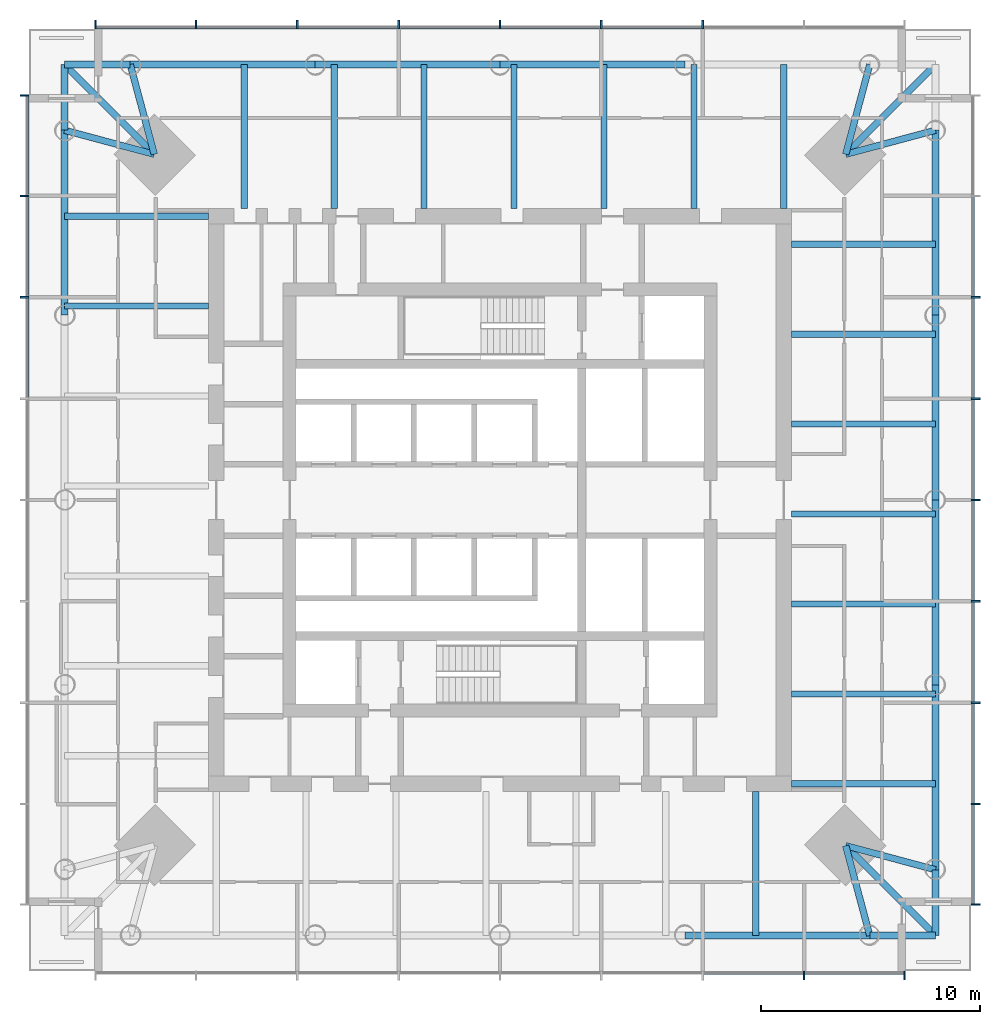
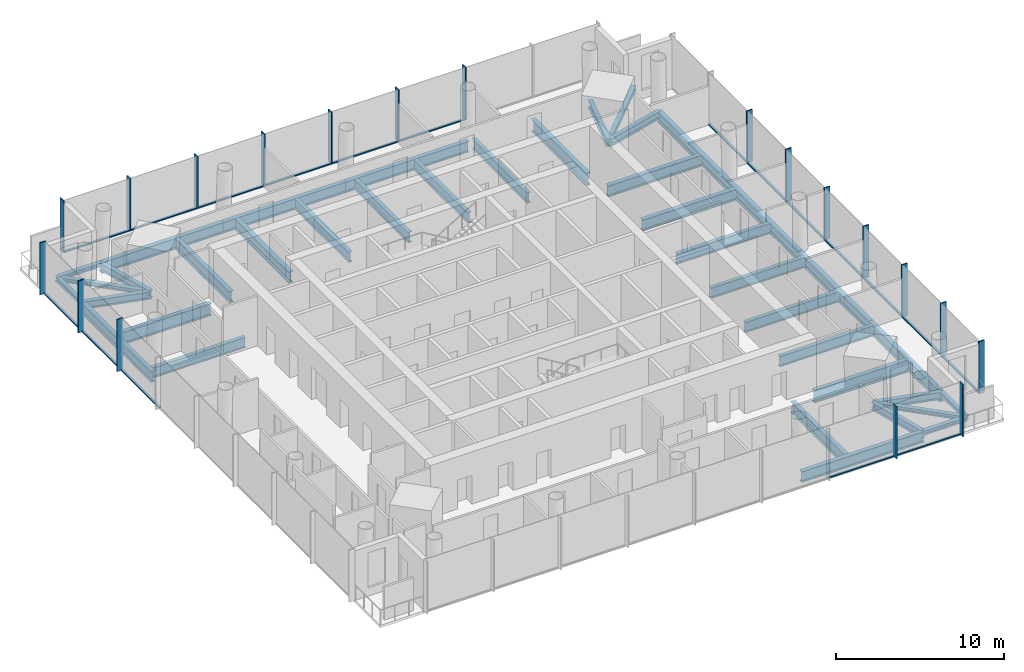
# One storey, part 2 of 9: 39 beams, 37 members, 4 elements without a shape of their own.
"""IFC4 building model written with IfcOpenShell, lengths in metres."""

import ifcopenshell
import ifcopenshell.guid

model = None  # the IFC model being written
_history = None  # IfcOwnerHistory: only IFC2X3 demands one
_inside = {}  # id of a spatial element -> (the spatial element, [elements in it])
_under = {}  # id of a project, library or spatial element -> (it, [spatial elements below it])
_declared = {}  # id of a project -> (the project, [libraries it declares])
_typed = {}  # id of a type object -> (the type object, [elements of that type])
_made_of = {}  # id of a material, layer set ... -> (it, [elements and type objects made of it])


def new_model(schema):
    """Start an empty IFC model of exactly this schema.

    Asked for "IFC4X3", IfcOpenShell would pick the latest addendum, in which some entities
    have other attributes; the version numbers below select the first issue.
    IFC2X3 requires an IfcOwnerHistory on every rooted entity: one is made here for all.
    """
    global model, _history
    if schema == "IFC4X3":
        model = ifcopenshell.file(schema_version=(4, 3, 0, 0))
    else:
        model = ifcopenshell.file(schema=schema)
    _inside.clear()
    _under.clear()
    _declared.clear()
    _typed.clear()
    _made_of.clear()
    _history = None
    if model.schema == "IFC2X3":
        org = make("IfcOrganization", Name="unknown")
        user = make(
            "IfcPersonAndOrganization",
            ThePerson=make("IfcPerson", FamilyName="unknown"),
            TheOrganization=org,
        )
        app = make(
            "IfcApplication",
            ApplicationDeveloper=org,
            Version="unknown",
            ApplicationFullName="unknown",
            ApplicationIdentifier="unknown",
        )
        _history = make(
            "IfcOwnerHistory",
            OwningUser=user,
            OwningApplication=app,
            ChangeAction="ADDED",
            CreationDate=0,
        )
    return model


def make(cls, **values):
    """One entity of the class cls with the attributes given. An attribute that is None is left unset."""
    return model.create_entity(
        cls, **{name: value for name, value in values.items() if value is not None}
    )


def rooted(cls, **values):
    """An entity with a GlobalId (a new one), such as an element, a storey or a relation."""
    return make(cls, GlobalId=ifcopenshell.guid.new(), OwnerHistory=_history, **values)


def si_unit(unit_type, name, prefix=None):
    """IfcSIUnit, for example si_unit("LENGTHUNIT", "METRE", prefix="MILLI")."""
    return make("IfcSIUnit", UnitType=unit_type, Prefix=prefix, Name=name)


def assignment(units):
    """IfcUnitAssignment: the units of a project."""
    return None if units is None else make("IfcUnitAssignment", Units=units)


def point(xyz):
    """IfcCartesianPoint."""
    return None if xyz is None else make("IfcCartesianPoint", Coordinates=xyz)


def direction(xyz):
    """IfcDirection."""
    return None if xyz is None else make("IfcDirection", DirectionRatios=xyz)


def frame(location, z_axis=None, x_axis=None):
    """IfcAxis2Placement3D, a coordinate frame: its origin and axes. An axis left out is left unset."""
    return make(
        "IfcAxis2Placement3D",
        Location=point(location),
        Axis=direction(z_axis),
        RefDirection=direction(x_axis),
    )


def frame_2d(location, x_axis=None):
    """IfcAxis2Placement2D, a coordinate frame in the plane: its origin and x axis."""
    return make(
        "IfcAxis2Placement2D", Location=point(location), RefDirection=direction(x_axis)
    )


def origin():
    """The frame at (0, 0, 0) with its axes left unset."""
    return frame((0.0, 0.0, 0.0))


def origin_2d():
    """The frame at (0, 0) in the plane with its x axis left unset."""
    return frame_2d((0.0, 0.0))


def place(relative_to, where):
    """IfcLocalPlacement: puts the frame where relative to a parent placement (None: the world)."""
    return make(
        "IfcLocalPlacement", PlacementRelTo=relative_to, RelativePlacement=where
    )


def context(
    kind, dimensions, precision=None, world=None, true_north=None, identifier=None
):
    """IfcGeometricRepresentationContext, for example the 3D "Model" context."""
    return make(
        "IfcGeometricRepresentationContext",
        ContextIdentifier=identifier,
        ContextType=kind,
        CoordinateSpaceDimension=dimensions,
        Precision=precision,
        WorldCoordinateSystem=world,
        TrueNorth=true_north,
    )


def subcontext(parent, identifier, kind, view, scale=None):
    """IfcGeometricRepresentationSubContext, for example "Body" below "Model"."""
    return make(
        "IfcGeometricRepresentationSubContext",
        ContextIdentifier=identifier,
        ContextType=kind,
        ParentContext=parent,
        TargetScale=scale,
        TargetView=view,
    )


def project(units=None, contexts=None):
    """IfcProject with its units and contexts."""
    return rooted(
        "IfcProject",
        Name="project",
        RepresentationContexts=contexts,
        UnitsInContext=assignment(units),
    )


def spatial(cls, under=None, at=None, **own):
    """A site, building, storey or space (cls), placed at a placement, below another one or the project."""
    s = rooted(cls, ObjectPlacement=at, **own)
    if under is not None:
        _under.setdefault(under.id(), (under, []))[1].append(s)
    return s


def profile(cls, at=None, kind="AREA", **sizes):
    """A parametric profile (cls). Its sizes go by their IFC names, for example OverallWidth=200.0."""
    return make(cls, ProfileType=kind, Position=at, **sizes)


def rectangle(**sizes):
    """IfcRectangleProfileDef."""
    return profile("IfcRectangleProfileDef", **sizes)


def i_section(**sizes):
    """IfcIShapeProfileDef."""
    return profile("IfcIShapeProfileDef", **sizes)


def extrude(swept, where, along, depth):
    """IfcExtrudedAreaSolid: the profile swept, set in the frame where, extruded along a direction by depth."""
    return make(
        "IfcExtrudedAreaSolid",
        SweptArea=swept,
        Position=where,
        ExtrudedDirection=direction(along),
        Depth=depth,
    )


def shape(context_of_items, identifier, shape_type, items):
    """IfcShapeRepresentation: the items that make up one representation, for example the "Body"."""
    return make(
        "IfcShapeRepresentation",
        ContextOfItems=context_of_items,
        RepresentationIdentifier=identifier,
        RepresentationType=shape_type,
        Items=items,
    )


def material(Name=None, Category=None):
    """IfcMaterial."""
    return make("IfcMaterial", Name=Name, Category=Category)


def material_profile(
    of_material, cross_section, Name=None, Category=None, Priority=None
):
    """IfcMaterialProfile: a cross section and its material."""
    return make(
        "IfcMaterialProfile",
        Name=Name,
        Material=of_material,
        Profile=cross_section,
        Priority=Priority,
        Category=Category,
    )


def profile_set(profiles, Name=None, composite=None):
    """IfcMaterialProfileSet."""
    return make(
        "IfcMaterialProfileSet",
        Name=Name,
        MaterialProfiles=profiles,
        CompositeProfile=composite,
    )


def made_of(thing, what):
    """Note that an element or type object is made of a material, layer set ...; save() writes the relation."""
    if what is not None:
        _made_of.setdefault(what.id(), (what, []))[1].append(thing)
    return thing


def type_object(cls, material=None, **own):
    """A type object (cls), such as IfcWallType, which elements share."""
    return made_of(rooted(cls, **own), material)


def element(
    cls,
    number,
    at=None,
    inside=None,
    cuts=None,
    type_object=None,
    material=None,
    context=None,
    identifier="Body",
    shape_type=None,
    held_by="IfcProductDefinitionShape",
    body=None,
    shapes=None,
    **own,
):
    """One element of the class cls, such as IfcWall. Its Tag is "e" and its number.

    at: its placement. inside: the storey or other place that contains it. cuts: it is an
    opening in that element (IfcRelVoidsElement). A single representation is given by context,
    identifier, shape_type and body (its items); several are given by shapes. held_by: the class
    of the entity that holds the representations. save() writes the other relations.
    """
    e = rooted(cls, Tag="e%d" % number, ObjectPlacement=at, **own)
    if body is not None:
        shapes = [shape(context, identifier, shape_type, body)]
    if shapes is not None:
        e.Representation = make(held_by, Representations=shapes)
    if inside is not None:
        _inside.setdefault(inside.id(), (inside, []))[1].append(e)
    if cuts is not None:
        rooted(
            "IfcRelVoidsElement", RelatingBuildingElement=cuts, RelatedOpeningElement=e
        )
    if type_object is not None:
        _typed.setdefault(type_object.id(), (type_object, []))[1].append(e)
    return made_of(e, material)


def aggregate(whole, parts):
    """IfcRelAggregates: a whole, such as a stair, and the parts it consists of."""
    return rooted("IfcRelAggregates", RelatingObject=whole, RelatedObjects=parts)


def save(model, path):
    """Write the relations noted so far, then the file.

    IfcRelAggregates (storeys below a building ...), IfcRelContainedInSpatialStructure (elements
    in a storey), IfcRelDefinesByType, IfcRelAssociatesMaterial and IfcRelDeclares: one each for
    every whole, place, type object, material and project.
    """
    for whole, parts in _under.values():
        aggregate(whole, parts)
    for where, things in _inside.values():
        rooted(
            "IfcRelContainedInSpatialStructure",
            RelatedElements=things,
            RelatingStructure=where,
        )
    for kind, things in _typed.values():
        rooted("IfcRelDefinesByType", RelatedObjects=things, RelatingType=kind)
    for what, things in _made_of.values():
        rooted("IfcRelAssociatesMaterial", RelatedObjects=things, RelatingMaterial=what)
    for by, libraries in _declared.values():
        rooted("IfcRelDeclares", RelatingContext=by, RelatedDefinitions=libraries)
    model.write(path)


model = new_model("IFC4")

# Units and contexts
model_context = context("Model", 3, precision=1e-05, world=origin(), true_north=direction((0.0, 1.0)))
body_context = subcontext(model_context, "Body", "Model", "MODEL_VIEW")
ifc_project = project(units=[si_unit("LENGTHUNIT", "METRE"), si_unit("AREAUNIT", "SQUARE_METRE"), si_unit("VOLUMEUNIT", "CUBIC_METRE"), si_unit("PLANEANGLEUNIT", "RADIAN"), si_unit("MASSUNIT", "GRAM", prefix="KILO")], contexts=[model_context])

# Site, building, storey
site_placement = place(None, origin())
site = spatial("IfcSite", under=ifc_project, at=site_placement, CompositionType="ELEMENT")
building_placement = place(site_placement, origin())
building = spatial("IfcBuilding", under=site, at=building_placement, Name="Ostroluk Exchange", CompositionType="ELEMENT")
storey_placement = place(building_placement, frame((0.0, 0.0, 150.199951171875)))
storey = spatial("IfcBuildingStorey", under=building, at=storey_placement, Name="L38", CompositionType="ELEMENT", Elevation=150.199951171875)

# Beams
ifc_material_1 = material(Name="Steel S355", Category="steel")
ifc_material_profile_1 = material_profile(ifc_material_1, i_section(OverallWidth=0.300048828125, OverallDepth=0.300048828125, WebThickness=0.010986328125, FlangeThickness=0.01904296875, FilletRadius=0.027099609375, at=origin_2d()), Name="HEB 300")
ifc_profile_set_1 = profile_set([ifc_material_profile_1], Name="Steel S355")
beam_type_1 = type_object("IfcBeamType", Name="Balcony beam HEB 300", PredefinedType="BEAM", material=ifc_profile_set_1)
beam_1_placement = place(storey_placement, frame((60.771484375, 61.771484375, -0.329833984375), z_axis=(0.707106781187, 0.707106781187, 0.0), x_axis=(-0.707106781187, 0.707106781187, 0.0)))
element("IfcBeam", 1, at=beam_1_placement, inside=storey, type_object=beam_type_1, Name="T1 east balcony beam c", PredefinedType="BEAM", context=body_context, shape_type="SweptSolid", body=[
    extrude(i_section(OverallWidth=0.300048828125, OverallDepth=0.300048828125, WebThickness=0.010986328125, FlangeThickness=0.01904296875, FilletRadius=0.027099609375, at=origin_2d()), origin(), (0.0, 0.0, 1.0), 5.798095703125),
])
for number, where, z_axis, x_axis, name in (
    (2, (28.128662109375, 65.871337890625, -0.329833984375), (-1.0, 0.0, 0.0), (0.0, -1.0, 0.0), "T1 north balcony beam a"),
    (3, (25.128662109375, 62.871337890625, -0.329833984375), (0.0, 1.0, 0.0), (-1.0, 0.0, 0.0), "T1 north balcony beam b"),
):
    element("IfcBeam", number, at=place(storey_placement, frame(where, z_axis=z_axis, x_axis=x_axis)), inside=storey, type_object=beam_type_1, Name=name, PredefinedType="BEAM", context=body_context, shape_type="SweptSolid", body=[
        extrude(i_section(OverallWidth=0.300048828125, OverallDepth=0.300048828125, WebThickness=0.010986328125, FlangeThickness=0.01904296875, FilletRadius=0.027099609375, at=origin_2d()), origin(), (0.0, 0.0, 1.0), 3.0),
    ])
beam_2_placement = place(storey_placement, frame((29.228515625, 61.771484375, -0.329833984375), z_axis=(-0.707106781187, 0.707106781187, 0.0), x_axis=(-0.707106781187, -0.707106781187, 0.0)))
element("IfcBeam", 4, at=beam_2_placement, inside=storey, type_object=beam_type_1, Name="T1 north balcony beam c", PredefinedType="BEAM", context=body_context, shape_type="SweptSolid", body=[
    extrude(i_section(OverallWidth=0.300048828125, OverallDepth=0.300048828125, WebThickness=0.010986328125, FlangeThickness=0.01904296875, FilletRadius=0.027099609375, at=origin_2d()), origin(), (0.0, 0.0, 1.0), 5.798095703125),
])
for number, where, z_axis, x_axis, name in (
    (5, (61.871337890625, 26.128662109375, -0.329833984375), (1.0, 0.0, 0.0), (0.0, 1.0, 0.0), "T1 south balcony beam a"),
    (6, (64.871337890625, 29.128662109375, -0.329833984375), (0.0, -1.0, 0.0), (1.0, 0.0, 0.0), "T1 south balcony beam b"),
):
    element("IfcBeam", number, at=place(storey_placement, frame(where, z_axis=z_axis, x_axis=x_axis)), inside=storey, type_object=beam_type_1, Name=name, PredefinedType="BEAM", context=body_context, shape_type="SweptSolid", body=[
        extrude(i_section(OverallWidth=0.300048828125, OverallDepth=0.300048828125, WebThickness=0.010986328125, FlangeThickness=0.01904296875, FilletRadius=0.027099609375, at=origin_2d()), origin(), (0.0, 0.0, 1.0), 3.0),
    ])
beam_3_placement = place(storey_placement, frame((60.771484375, 30.228515625, -0.329833984375), z_axis=(0.707106781187, -0.707106781187, 0.0), x_axis=(0.707106781187, 0.707106781187, 0.0)))
element("IfcBeam", 7, at=beam_3_placement, inside=storey, type_object=beam_type_1, Name="T1 south balcony beam c", PredefinedType="BEAM", context=body_context, shape_type="SweptSolid", body=[
    extrude(i_section(OverallWidth=0.300048828125, OverallDepth=0.300048828125, WebThickness=0.010986328125, FlangeThickness=0.01904296875, FilletRadius=0.027099609375, at=origin_2d()), origin(), (0.0, 0.0, 1.0), 5.798095703125),
])
ifc_material_2 = material(Name="Steel S355", Category="steel")
ifc_material_profile_2 = material_profile(ifc_material_2, i_section(OverallWidth=0.300048828125, OverallDepth=0.550048828125, WebThickness=0.014892578125, FlangeThickness=0.029052734375, FilletRadius=0.027099609375, at=origin_2d()), Name="HEB 550")
ifc_profile_set_2 = profile_set([ifc_material_profile_2], Name="Steel S355")
beam_type_2 = type_object("IfcBeamType", Name="Corner edge beam HEB 550", PredefinedType="SPANDREL", material=ifc_profile_set_2)
for number, where, z_axis, x_axis, name in (
    (8, (60.771484375, 61.771484375, -0.454833984375), (0.965849156574, 0.259105011038, 0.0), (-0.259105011038, 0.965849156574, 0.0), "T1 east corner edge beam a"),
    (9, (60.771484375, 61.771484375, -0.454833984375), (0.259105011038, 0.965849156574, 0.0), (-0.965849156574, 0.259105011038, 0.0), "T1 east corner edge beam b"),
    (10, (29.228515625, 61.771484375, -0.454833984375), (-0.259105011038, 0.965849156574, 0.0), (-0.965849156574, -0.259105011038, 0.0), "T1 north corner edge beam a"),
    (11, (29.228515625, 61.771484375, -0.454833984375), (-0.965849156574, 0.259105011038, 0.0), (-0.259105011038, -0.965849156574, 0.0), "T1 north corner edge beam b"),
    (12, (60.771484375, 30.228515625, -0.454833984375), (0.259105011038, -0.965849156574, 0.0), (0.965849156574, 0.259105011038, 0.0), "T1 south corner edge beam a"),
    (13, (60.771484375, 30.228515625, -0.454833984375), (0.965849156574, -0.259105011038, 0.0), (0.259105011038, 0.965849156574, 0.0), "T1 south corner edge beam b"),
):
    element("IfcBeam", number, at=place(storey_placement, frame(where, z_axis=z_axis, x_axis=x_axis)), inside=storey, type_object=beam_type_2, Name=name, PredefinedType="SPANDREL", context=body_context, shape_type="SweptSolid", body=[
        extrude(i_section(OverallWidth=0.300048828125, OverallDepth=0.550048828125, WebThickness=0.014892578125, FlangeThickness=0.029052734375, FilletRadius=0.027099609375, at=origin_2d()), origin(), (0.0, 0.0, 1.0), 4.244873046875),
    ])
ifc_material_3 = material(Name="Steel S355", Category="steel")
ifc_material_profile_3 = material_profile(ifc_material_3, i_section(OverallWidth=0.302978515625, OverallDepth=0.81396484375, WebThickness=0.02099609375, FlangeThickness=0.0400390625, FilletRadius=0.030029296875, at=origin_2d()), Name="HEM 800")
ifc_profile_set_3 = profile_set([ifc_material_profile_3], Name="Steel S355")
beam_type_3 = type_object("IfcBeamType", Name="Floor beam HEM 800", PredefinedType="BEAM", material=ifc_profile_set_3)
for number, where, z_axis, x_axis, name in (
    (14, (58.300048828125, 53.5634765625, -0.5869140625), (1.0, 0.0, 0.0), (0.0, 1.0, 0.0), "T1 east floor beam 5"),
    (15, (58.300048828125, 57.666015625, -0.5869140625), (1.0, 0.0, 0.0), (0.0, 1.0, 0.0), "T1 east floor beam 6"),
    (16, (37.4365234375, 59.300048828125, -0.5869140625), (0.0, 1.0, 0.0), (-1.0, 0.0, 0.0), "T1 north floor beam 5"),
    (17, (33.333984375, 59.300048828125, -0.5869140625), (0.0, 1.0, 0.0), (-1.0, 0.0, 0.0), "T1 north floor beam 6"),
    (18, (56.666015625, 32.699951171875, -0.5869140625), (0.0, -1.0, 0.0), (1.0, 0.0, 0.0), "T1 south floor beam 6"),
):
    element("IfcBeam", number, at=place(storey_placement, frame(where, z_axis=z_axis, x_axis=x_axis)), inside=storey, type_object=beam_type_3, Name=name, PredefinedType="BEAM", context=body_context, shape_type="SweptSolid", body=[
        extrude(i_section(OverallWidth=0.302978515625, OverallDepth=0.81396484375, WebThickness=0.02099609375, FlangeThickness=0.0400390625, FilletRadius=0.030029296875, at=origin_2d()), origin(), (0.0, 0.0, 1.0), 6.5712890625),
    ])
ifc_material_4 = material(Name="Steel S355", Category="steel")
ifc_material_profile_4 = material_profile(ifc_material_4, i_section(OverallWidth=0.26708984375, OverallDepth=0.761962890625, WebThickness=0.014404296875, FlangeThickness=0.021484375, FilletRadius=0.01708984375, at=origin_2d()), Name="IPE 750x173")
ifc_profile_set_4 = profile_set([ifc_material_profile_4], Name="Steel S355")
beam_type_4 = type_object("IfcBeamType", Name="Floor beam IPE 750x173", PredefinedType="BEAM", material=ifc_profile_set_4)
for number, where, z_axis, x_axis, name in (
    (19, (58.300048828125, 37.152587890625, -0.56103515625), (1.0, 0.0, 0.0), (0.0, 1.0, 0.0), "T1 east floor beam 1"),
    (20, (58.300048828125, 41.25537109375, -0.56103515625), (1.0, 0.0, 0.0), (0.0, 1.0, 0.0), "T1 east floor beam 2"),
    (21, (58.300048828125, 45.358154296875, -0.56103515625), (1.0, 0.0, 0.0), (0.0, 1.0, 0.0), "T1 east floor beam 3"),
    (22, (58.300048828125, 49.460693359375, -0.56103515625), (1.0, 0.0, 0.0), (0.0, 1.0, 0.0), "T1 east floor beam 4"),
    (23, (53.847412109375, 59.300048828125, -0.56103515625), (0.0, 1.0, 0.0), (-1.0, 0.0, 0.0), "T1 north floor beam 1"),
    (24, (49.74462890625, 59.300048828125, -0.56103515625), (0.0, 1.0, 0.0), (-1.0, 0.0, 0.0), "T1 north floor beam 2"),
    (25, (45.641845703125, 59.300048828125, -0.56103515625), (0.0, 1.0, 0.0), (-1.0, 0.0, 0.0), "T1 north floor beam 3"),
    (26, (41.539306640625, 59.300048828125, -0.56103515625), (0.0, 1.0, 0.0), (-1.0, 0.0, 0.0), "T1 north floor beam 4"),
    (27, (31.699951171875, 54.847412109375, -0.56103515625), (-1.0, 0.0, 0.0), (0.0, -1.0, 0.0), "T1 west floor beam 1"),
):
    element("IfcBeam", number, at=place(storey_placement, frame(where, z_axis=z_axis, x_axis=x_axis)), inside=storey, type_object=beam_type_4, Name=name, PredefinedType="BEAM", context=body_context, shape_type="SweptSolid", body=[
        extrude(i_section(OverallWidth=0.26708984375, OverallDepth=0.761962890625, WebThickness=0.014404296875, FlangeThickness=0.021484375, FilletRadius=0.01708984375, at=origin_2d()), origin(), (0.0, 0.0, 1.0), 6.5712890625),
    ])
ifc_material_5 = material(Name="Steel S355", Category="steel")
ifc_material_profile_5 = material_profile(ifc_material_5, i_section(OverallWidth=0.300048828125, OverallDepth=0.89990234375, WebThickness=0.0185546875, FlangeThickness=0.034912109375, FilletRadius=0.030029296875, at=origin_2d()), Name="HEB 900")
ifc_profile_set_5 = profile_set([ifc_material_profile_5], Name="Steel S355")
beam_type_5 = type_object("IfcBeamType", Name="Girder HEB 900", PredefinedType="BEAM", material=ifc_profile_set_5)
for number, where, z_axis, x_axis, name in (
    (28, (57.949951171875, 59.300048828125, -0.6298828125), (0.0, 1.0, 0.0), (-1.0, 0.0, 0.0), "T1 east girder"),
    (29, (31.699951171875, 58.949951171875, -0.6298828125), (-1.0, 0.0, 0.0), (0.0, -1.0, 0.0), "T1 north girder"),
    (30, (58.300048828125, 33.050048828125, -0.6298828125), (1.0, 0.0, 0.0), (0.0, 1.0, 0.0), "T1 south girder"),
):
    element("IfcBeam", number, at=place(storey_placement, frame(where, z_axis=z_axis, x_axis=x_axis)), inside=storey, type_object=beam_type_5, Name=name, PredefinedType="BEAM", context=body_context, shape_type="SweptSolid", body=[
        extrude(i_section(OverallWidth=0.300048828125, OverallDepth=0.89990234375, WebThickness=0.0185546875, FlangeThickness=0.034912109375, FilletRadius=0.030029296875, at=origin_2d()), origin(), (0.0, 0.0, 1.0), 6.5712890625),
    ])
ifc_material_6 = material(Name="Steel S355", Category="steel")
ifc_material_profile_6 = material_profile(ifc_material_6, i_section(OverallWidth=0.300048828125, OverallDepth=0.800048828125, WebThickness=0.017578125, FlangeThickness=0.032958984375, FilletRadius=0.030029296875, at=origin_2d()), Name="HEB 800")
ifc_profile_set_6 = profile_set([ifc_material_profile_6], Name="Steel S355")
beam_type_6 = type_object("IfcBeamType", Name="Moment-connected edge beam HEB 800", PredefinedType="SPANDREL", material=ifc_profile_set_6)
beam_4_placement = place(storey_placement, frame((64.871337890625, 29.128662109375, -0.579833984375), z_axis=(0.0, 1.0, 0.0), x_axis=(-1.0, 0.0, 0.0)))
element("IfcBeam", 31, at=beam_4_placement, inside=storey, type_object=beam_type_6, Name="T1 east edge beam 1", PredefinedType="SPANDREL", context=body_context, shape_type="SweptSolid", body=[
    extrude(i_section(OverallWidth=0.300048828125, OverallDepth=0.800048828125, WebThickness=0.017578125, FlangeThickness=0.032958984375, FilletRadius=0.030029296875, at=origin_2d()), origin(), (0.0, 0.0, 1.0), 8.435546875),
])
for number, where, z_axis, x_axis, name in (
    (32, (64.871337890625, 37.564208984375, -0.579833984375), (0.0, 1.0, 0.0), (-1.0, 0.0, 0.0), "T1 east edge beam 2"),
    (33, (64.871337890625, 46.0, -0.579833984375), (0.0, 1.0, 0.0), (-1.0, 0.0, 0.0), "T1 east edge beam 3"),
):
    element("IfcBeam", number, at=place(storey_placement, frame(where, z_axis=z_axis, x_axis=x_axis)), inside=storey, type_object=beam_type_6, Name=name, PredefinedType="SPANDREL", context=body_context, shape_type="SweptSolid", body=[
        extrude(i_section(OverallWidth=0.300048828125, OverallDepth=0.800048828125, WebThickness=0.017578125, FlangeThickness=0.032958984375, FilletRadius=0.030029296875, at=origin_2d()), origin(), (0.0, 0.0, 1.0), 8.435791015625),
    ])
beam_5_placement = place(storey_placement, frame((64.871337890625, 54.435791015625, -0.579833984375), z_axis=(0.0, 1.0, 0.0), x_axis=(-1.0, 0.0, 0.0)))
element("IfcBeam", 34, at=beam_5_placement, inside=storey, type_object=beam_type_6, Name="T1 east edge beam 4", PredefinedType="SPANDREL", context=body_context, shape_type="SweptSolid", body=[
    extrude(i_section(OverallWidth=0.300048828125, OverallDepth=0.800048828125, WebThickness=0.017578125, FlangeThickness=0.032958984375, FilletRadius=0.030029296875, at=origin_2d()), origin(), (0.0, 0.0, 1.0), 8.435546875),
])
for number, where, z_axis, x_axis, name in (
    (35, (53.435791015625, 65.871337890625, -0.579833984375), (-1.0, 0.0, 0.0), (0.0, -1.0, 0.0), "T1 north edge beam 2"),
    (36, (45.0, 65.871337890625, -0.579833984375), (-1.0, 0.0, 0.0), (0.0, -1.0, 0.0), "T1 north edge beam 3"),
):
    element("IfcBeam", number, at=place(storey_placement, frame(where, z_axis=z_axis, x_axis=x_axis)), inside=storey, type_object=beam_type_6, Name=name, PredefinedType="SPANDREL", context=body_context, shape_type="SweptSolid", body=[
        extrude(i_section(OverallWidth=0.300048828125, OverallDepth=0.800048828125, WebThickness=0.017578125, FlangeThickness=0.032958984375, FilletRadius=0.030029296875, at=origin_2d()), origin(), (0.0, 0.0, 1.0), 8.435791015625),
    ])
for number, where, z_axis, x_axis, name in (
    (37, (36.564208984375, 65.871337890625, -0.579833984375), (-1.0, 0.0, 0.0), (0.0, -1.0, 0.0), "T1 north edge beam 4"),
    (38, (25.128662109375, 62.871337890625, -0.579833984375), (0.0, -1.0, 0.0), (1.0, 0.0, 0.0), "T1 west edge beam 1"),
    (39, (53.435791015625, 26.128662109375, -0.579833984375), (1.0, 0.0, 0.0), (0.0, 1.0, 0.0), "T1 south edge beam 4"),
):
    element("IfcBeam", number, at=place(storey_placement, frame(where, z_axis=z_axis, x_axis=x_axis)), inside=storey, type_object=beam_type_6, Name=name, PredefinedType="SPANDREL", context=body_context, shape_type="SweptSolid", body=[
        extrude(i_section(OverallWidth=0.300048828125, OverallDepth=0.800048828125, WebThickness=0.017578125, FlangeThickness=0.032958984375, FilletRadius=0.030029296875, at=origin_2d()), origin(), (0.0, 0.0, 1.0), 8.435546875),
    ])

# Curtain wall, members
ifc_material_7 = material(Name="Laminated clear glass", Category="glass")
curtain_wall_type = type_object("IfcCurtainWallType", Name="Office tower facade", PredefinedType="USERDEFINED", material=ifc_material_7)
curtain_wall_1_placement = place(storey_placement, origin())
curtain_wall_1 = element("IfcCurtainWall", 40, at=curtain_wall_1_placement, inside=storey, type_object=curtain_wall_type, Name="Office tower south facade L38", ObjectType="UNITISED CURTAIN WALL", PredefinedType="USERDEFINED")
ifc_material_8 = material(Name="Aluminium mullion", Category="aluminium")
ifc_material_profile_7 = material_profile(ifc_material_8, rectangle(XDim=0.14990234375, YDim=0.080078125, at=origin_2d()), Name="Sill transom 80 x 150")
ifc_profile_set_7 = profile_set([ifc_material_profile_7], Name="Aluminium mullion")
member_type_1 = type_object("IfcMemberType", Name="Sill transom 80 x 150", PredefinedType="USERDEFINED", material=ifc_profile_set_7)
member_1_placement = place(storey_placement, frame((54.2900390625, 24.425048828125, 0.0400390625), z_axis=(1.0, 0.0, 0.0), x_axis=(0.0, 1.0, 0.0)))
member_1 = element("IfcMember", 41, at=member_1_placement, type_object=member_type_1, Name="CW-O1 transom 7.1", ObjectType="TRANSOM", PredefinedType="USERDEFINED", context=body_context, shape_type="SweptSolid", body=[
    extrude(rectangle(XDim=0.14990234375, YDim=0.080078125, at=origin_2d()), origin(), (0.0, 0.0, 1.0), 4.544921875),
])
member_2_placement = place(storey_placement, frame((58.9150390625, 24.425048828125, 0.0400390625), z_axis=(1.0, 0.0, 0.0), x_axis=(0.0, 1.0, 0.0)))
member_2 = element("IfcMember", 42, at=member_2_placement, type_object=member_type_1, Name="CW-O1 transom 8.1", ObjectType="TRANSOM", PredefinedType="USERDEFINED", context=body_context, shape_type="SweptSolid", body=[
    extrude(rectangle(XDim=0.14990234375, YDim=0.080078125, at=origin_2d()), origin(), (0.0, 0.0, 1.0), 4.5048828125),
])

curtain_wall_2_placement = place(storey_placement, origin())
curtain_wall_2 = element("IfcCurtainWall", 43, at=curtain_wall_2_placement, inside=storey, type_object=curtain_wall_type, Name="Office tower east facade L38", ObjectType="UNITISED CURTAIN WALL", PredefinedType="USERDEFINED")
member_3_placement = place(storey_placement, frame((66.574951171875, 27.580078125, 0.0400390625), z_axis=(0.0, 1.0, 0.0), x_axis=(-1.0, 0.0, 0.0)))
member_3 = element("IfcMember", 44, at=member_3_placement, type_object=member_type_1, Name="CW-O1 transom 1.1", ObjectType="TRANSOM", PredefinedType="USERDEFINED", context=body_context, shape_type="SweptSolid", body=[
    extrude(rectangle(XDim=0.14990234375, YDim=0.080078125, at=origin_2d()), origin(), (0.0, 0.0, 1.0), 4.5048828125),
])
member_4_placement = place(storey_placement, frame((66.574951171875, 32.1650390625, 0.0400390625), z_axis=(0.0, 1.0, 0.0), x_axis=(-1.0, 0.0, 0.0)))
member_4 = element("IfcMember", 45, at=member_4_placement, type_object=member_type_1, Name="CW-O1 transom 2.1", ObjectType="TRANSOM", PredefinedType="USERDEFINED", context=body_context, shape_type="SweptSolid", body=[
    extrude(rectangle(XDim=0.14990234375, YDim=0.080078125, at=origin_2d()), origin(), (0.0, 0.0, 1.0), 4.544921875),
])
member_5_placement = place(storey_placement, frame((66.574951171875, 36.7900390625, 0.0400390625), z_axis=(0.0, 1.0, 0.0), x_axis=(-1.0, 0.0, 0.0)))
member_5 = element("IfcMember", 46, at=member_5_placement, type_object=member_type_1, Name="CW-O1 transom 3.1", ObjectType="TRANSOM", PredefinedType="USERDEFINED", context=body_context, shape_type="SweptSolid", body=[
    extrude(rectangle(XDim=0.14990234375, YDim=0.080078125, at=origin_2d()), origin(), (0.0, 0.0, 1.0), 4.544921875),
])
member_6_placement = place(storey_placement, frame((66.574951171875, 41.4150390625, 0.0400390625), z_axis=(0.0, 1.0, 0.0), x_axis=(-1.0, 0.0, 0.0)))
member_6 = element("IfcMember", 47, at=member_6_placement, type_object=member_type_1, Name="CW-O1 transom 4.1", ObjectType="TRANSOM", PredefinedType="USERDEFINED", context=body_context, shape_type="SweptSolid", body=[
    extrude(rectangle(XDim=0.14990234375, YDim=0.080078125, at=origin_2d()), origin(), (0.0, 0.0, 1.0), 4.544921875),
])
member_7_placement = place(storey_placement, frame((66.574951171875, 46.0400390625, 0.0400390625), z_axis=(0.0, 1.0, 0.0), x_axis=(-1.0, 0.0, 0.0)))
member_7 = element("IfcMember", 48, at=member_7_placement, type_object=member_type_1, Name="CW-O1 transom 5.1", ObjectType="TRANSOM", PredefinedType="USERDEFINED", context=body_context, shape_type="SweptSolid", body=[
    extrude(rectangle(XDim=0.14990234375, YDim=0.080078125, at=origin_2d()), origin(), (0.0, 0.0, 1.0), 4.544921875),
])
member_8_placement = place(storey_placement, frame((66.574951171875, 50.6650390625, 0.0400390625), z_axis=(0.0, 1.0, 0.0), x_axis=(-1.0, 0.0, 0.0)))
member_8 = element("IfcMember", 49, at=member_8_placement, type_object=member_type_1, Name="CW-O1 transom 6.1", ObjectType="TRANSOM", PredefinedType="USERDEFINED", context=body_context, shape_type="SweptSolid", body=[
    extrude(rectangle(XDim=0.14990234375, YDim=0.080078125, at=origin_2d()), origin(), (0.0, 0.0, 1.0), 4.544921875),
])
member_9_placement = place(storey_placement, frame((66.574951171875, 55.2900390625, 0.0400390625), z_axis=(0.0, 1.0, 0.0), x_axis=(-1.0, 0.0, 0.0)))
member_9 = element("IfcMember", 50, at=member_9_placement, type_object=member_type_1, Name="CW-O1 transom 7.1", ObjectType="TRANSOM", PredefinedType="USERDEFINED", context=body_context, shape_type="SweptSolid", body=[
    extrude(rectangle(XDim=0.14990234375, YDim=0.080078125, at=origin_2d()), origin(), (0.0, 0.0, 1.0), 4.544921875),
])

curtain_wall_3_placement = place(storey_placement, origin())
curtain_wall_3 = element("IfcCurtainWall", 51, at=curtain_wall_3_placement, inside=storey, type_object=curtain_wall_type, Name="Office tower north facade L38", ObjectType="UNITISED CURTAIN WALL", PredefinedType="USERDEFINED")
member_10_placement = place(storey_placement, frame((54.2099609375, 67.574951171875, 0.0400390625), z_axis=(-1.0, 0.0, 0.0), x_axis=(0.0, -1.0, 0.0)))
member_10 = element("IfcMember", 52, at=member_10_placement, type_object=member_type_1, Name="CW-O1 transom 3.1", ObjectType="TRANSOM", PredefinedType="USERDEFINED", context=body_context, shape_type="SweptSolid", body=[
    extrude(rectangle(XDim=0.14990234375, YDim=0.080078125, at=origin_2d()), origin(), (0.0, 0.0, 1.0), 4.544921875),
])
member_11_placement = place(storey_placement, frame((49.5849609375, 67.574951171875, 0.0400390625), z_axis=(-1.0, 0.0, 0.0), x_axis=(0.0, -1.0, 0.0)))
member_11 = element("IfcMember", 53, at=member_11_placement, type_object=member_type_1, Name="CW-O1 transom 4.1", ObjectType="TRANSOM", PredefinedType="USERDEFINED", context=body_context, shape_type="SweptSolid", body=[
    extrude(rectangle(XDim=0.14990234375, YDim=0.080078125, at=origin_2d()), origin(), (0.0, 0.0, 1.0), 4.544921875),
])
member_12_placement = place(storey_placement, frame((44.9599609375, 67.574951171875, 0.0400390625), z_axis=(-1.0, 0.0, 0.0), x_axis=(0.0, -1.0, 0.0)))
member_12 = element("IfcMember", 54, at=member_12_placement, type_object=member_type_1, Name="CW-O1 transom 5.1", ObjectType="TRANSOM", PredefinedType="USERDEFINED", context=body_context, shape_type="SweptSolid", body=[
    extrude(rectangle(XDim=0.14990234375, YDim=0.080078125, at=origin_2d()), origin(), (0.0, 0.0, 1.0), 4.544921875),
])
member_13_placement = place(storey_placement, frame((40.3349609375, 67.574951171875, 0.0400390625), z_axis=(-1.0, 0.0, 0.0), x_axis=(0.0, -1.0, 0.0)))
member_13 = element("IfcMember", 55, at=member_13_placement, type_object=member_type_1, Name="CW-O1 transom 6.1", ObjectType="TRANSOM", PredefinedType="USERDEFINED", context=body_context, shape_type="SweptSolid", body=[
    extrude(rectangle(XDim=0.14990234375, YDim=0.080078125, at=origin_2d()), origin(), (0.0, 0.0, 1.0), 4.544921875),
])
member_14_placement = place(storey_placement, frame((35.7099609375, 67.574951171875, 0.0400390625), z_axis=(-1.0, 0.0, 0.0), x_axis=(0.0, -1.0, 0.0)))
member_14 = element("IfcMember", 56, at=member_14_placement, type_object=member_type_1, Name="CW-O1 transom 7.1", ObjectType="TRANSOM", PredefinedType="USERDEFINED", context=body_context, shape_type="SweptSolid", body=[
    extrude(rectangle(XDim=0.14990234375, YDim=0.080078125, at=origin_2d()), origin(), (0.0, 0.0, 1.0), 4.544921875),
])
member_15_placement = place(storey_placement, frame((31.0849609375, 67.574951171875, 0.0400390625), z_axis=(-1.0, 0.0, 0.0), x_axis=(0.0, -1.0, 0.0)))
member_15 = element("IfcMember", 57, at=member_15_placement, type_object=member_type_1, Name="CW-O1 transom 8.1", ObjectType="TRANSOM", PredefinedType="USERDEFINED", context=body_context, shape_type="SweptSolid", body=[
    extrude(rectangle(XDim=0.14990234375, YDim=0.080078125, at=origin_2d()), origin(), (0.0, 0.0, 1.0), 4.5048828125),
])

curtain_wall_4_placement = place(storey_placement, origin())
curtain_wall_4 = element("IfcCurtainWall", 58, at=curtain_wall_4_placement, inside=storey, type_object=curtain_wall_type, Name="Office tower west facade L38", ObjectType="UNITISED CURTAIN WALL", PredefinedType="USERDEFINED")
member_16_placement = place(storey_placement, frame((23.425048828125, 64.419921875, 0.0400390625), z_axis=(0.0, -1.0, 0.0), x_axis=(1.0, 0.0, 0.0)))
member_16 = element("IfcMember", 59, at=member_16_placement, type_object=member_type_1, Name="CW-O1 transom 1.1", ObjectType="TRANSOM", PredefinedType="USERDEFINED", context=body_context, shape_type="SweptSolid", body=[
    extrude(rectangle(XDim=0.14990234375, YDim=0.080078125, at=origin_2d()), origin(), (0.0, 0.0, 1.0), 4.5048828125),
])
member_17_placement = place(storey_placement, frame((23.425048828125, 59.8349609375, 0.0400390625), z_axis=(0.0, -1.0, 0.0), x_axis=(1.0, 0.0, 0.0)))
member_17 = element("IfcMember", 60, at=member_17_placement, type_object=member_type_1, Name="CW-O1 transom 2.1", ObjectType="TRANSOM", PredefinedType="USERDEFINED", context=body_context, shape_type="SweptSolid", body=[
    extrude(rectangle(XDim=0.14990234375, YDim=0.080078125, at=origin_2d()), origin(), (0.0, 0.0, 1.0), 4.544921875),
])
member_18_placement = place(storey_placement, frame((23.425048828125, 55.2099609375, 0.0400390625), z_axis=(0.0, -1.0, 0.0), x_axis=(1.0, 0.0, 0.0)))
member_18 = element("IfcMember", 61, at=member_18_placement, type_object=member_type_1, Name="CW-O1 transom 3.1", ObjectType="TRANSOM", PredefinedType="USERDEFINED", context=body_context, shape_type="SweptSolid", body=[
    extrude(rectangle(XDim=0.14990234375, YDim=0.080078125, at=origin_2d()), origin(), (0.0, 0.0, 1.0), 4.544921875),
])

# Member
ifc_material_9 = material(Name="Aluminium mullion with limestone facing", Category="masonry")
ifc_material_profile_8 = material_profile(ifc_material_9, rectangle(XDim=0.39990234375, YDim=0.080078125, at=origin_2d()), Name="Tracery mullion 80 x 400")
ifc_profile_set_8 = profile_set([ifc_material_profile_8], Name="Aluminium mullion with limestone facing")
member_type_2 = type_object("IfcMemberType", Name="Tracery mullion 80 x 400", PredefinedType="MULLION", material=ifc_profile_set_8)
member_19_placement = place(storey_placement, frame((58.875, 24.300048828125, 0.0), z_axis=(0.0, 0.0, 1.0), x_axis=(0.0, 1.0, 0.0)))
member_19 = element("IfcMember", 62, at=member_19_placement, type_object=member_type_2, Name="CW-O1 mullion 8", PredefinedType="MULLION", context=body_context, shape_type="SweptSolid", body=[
    extrude(rectangle(XDim=0.39990234375, YDim=0.080078125, at=origin_2d()), origin(), (0.0, 0.0, 1.0), 3.800048828125),
])

member_20_placement = place(storey_placement, frame((63.4599609375, 24.300048828125, 0.0), z_axis=(0.0, 0.0, 1.0), x_axis=(0.0, 1.0, 0.0)))
member_20 = element("IfcMember", 63, at=member_20_placement, type_object=member_type_2, Name="CW-O1 mullion 9", PredefinedType="MULLION", context=body_context, shape_type="SweptSolid", body=[
    extrude(rectangle(XDim=0.39990234375, YDim=0.080078125, at=origin_2d()), origin(), (0.0, 0.0, 1.0), 3.800048828125),
])

aggregate(curtain_wall_1, [member_19, member_20, member_1, member_2])

member_21_placement = place(storey_placement, frame((66.699951171875, 27.5400390625, 0.0), z_axis=(0.0, 0.0, 1.0), x_axis=(-1.0, 0.0, 0.0)))
member_21 = element("IfcMember", 64, at=member_21_placement, type_object=member_type_2, Name="CW-O1 mullion 1", PredefinedType="MULLION", context=body_context, shape_type="SweptSolid", body=[
    extrude(rectangle(XDim=0.39990234375, YDim=0.080078125, at=origin_2d()), origin(), (0.0, 0.0, 1.0), 3.800048828125),
])

member_22_placement = place(storey_placement, frame((66.699951171875, 32.125, 0.0), z_axis=(0.0, 0.0, 1.0), x_axis=(-1.0, 0.0, 0.0)))
member_22 = element("IfcMember", 65, at=member_22_placement, type_object=member_type_2, Name="CW-O1 mullion 2", PredefinedType="MULLION", context=body_context, shape_type="SweptSolid", body=[
    extrude(rectangle(XDim=0.39990234375, YDim=0.080078125, at=origin_2d()), origin(), (0.0, 0.0, 1.0), 3.800048828125),
])

member_23_placement = place(storey_placement, frame((66.699951171875, 36.75, 0.0), z_axis=(0.0, 0.0, 1.0), x_axis=(-1.0, 0.0, 0.0)))
member_23 = element("IfcMember", 66, at=member_23_placement, type_object=member_type_2, Name="CW-O1 mullion 3", PredefinedType="MULLION", context=body_context, shape_type="SweptSolid", body=[
    extrude(rectangle(XDim=0.39990234375, YDim=0.080078125, at=origin_2d()), origin(), (0.0, 0.0, 1.0), 3.800048828125),
])

member_24_placement = place(storey_placement, frame((66.699951171875, 41.375, 0.0), z_axis=(0.0, 0.0, 1.0), x_axis=(-1.0, 0.0, 0.0)))
member_24 = element("IfcMember", 67, at=member_24_placement, type_object=member_type_2, Name="CW-O1 mullion 4", PredefinedType="MULLION", context=body_context, shape_type="SweptSolid", body=[
    extrude(rectangle(XDim=0.39990234375, YDim=0.080078125, at=origin_2d()), origin(), (0.0, 0.0, 1.0), 3.800048828125),
])

member_25_placement = place(storey_placement, frame((66.699951171875, 46.0, 0.0), z_axis=(0.0, 0.0, 1.0), x_axis=(-1.0, 0.0, 0.0)))
member_25 = element("IfcMember", 68, at=member_25_placement, type_object=member_type_2, Name="CW-O1 mullion 5", PredefinedType="MULLION", context=body_context, shape_type="SweptSolid", body=[
    extrude(rectangle(XDim=0.39990234375, YDim=0.080078125, at=origin_2d()), origin(), (0.0, 0.0, 1.0), 3.800048828125),
])

member_26_placement = place(storey_placement, frame((66.699951171875, 50.625, 0.0), z_axis=(0.0, 0.0, 1.0), x_axis=(-1.0, 0.0, 0.0)))
member_26 = element("IfcMember", 69, at=member_26_placement, type_object=member_type_2, Name="CW-O1 mullion 6", PredefinedType="MULLION", context=body_context, shape_type="SweptSolid", body=[
    extrude(rectangle(XDim=0.39990234375, YDim=0.080078125, at=origin_2d()), origin(), (0.0, 0.0, 1.0), 3.800048828125),
])

member_27_placement = place(storey_placement, frame((66.699951171875, 55.25, 0.0), z_axis=(0.0, 0.0, 1.0), x_axis=(-1.0, 0.0, 0.0)))
member_27 = element("IfcMember", 70, at=member_27_placement, type_object=member_type_2, Name="CW-O1 mullion 7", PredefinedType="MULLION", context=body_context, shape_type="SweptSolid", body=[
    extrude(rectangle(XDim=0.39990234375, YDim=0.080078125, at=origin_2d()), origin(), (0.0, 0.0, 1.0), 3.800048828125),
])

aggregate(curtain_wall_2, [member_21, member_22, member_23, member_24, member_25, member_26, member_27, member_3, member_4, member_5, member_6, member_7, member_8, member_9])

member_28_placement = place(storey_placement, frame((54.25, 67.699951171875, 0.0), z_axis=(0.0, 0.0, 1.0), x_axis=(0.0, -1.0, 0.0)))
member_28 = element("IfcMember", 71, at=member_28_placement, type_object=member_type_2, Name="CW-O1 mullion 3", PredefinedType="MULLION", context=body_context, shape_type="SweptSolid", body=[
    extrude(rectangle(XDim=0.39990234375, YDim=0.080078125, at=origin_2d()), origin(), (0.0, 0.0, 1.0), 3.800048828125),
])

member_29_placement = place(storey_placement, frame((49.625, 67.699951171875, 0.0), z_axis=(0.0, 0.0, 1.0), x_axis=(0.0, -1.0, 0.0)))
member_29 = element("IfcMember", 72, at=member_29_placement, type_object=member_type_2, Name="CW-O1 mullion 4", PredefinedType="MULLION", context=body_context, shape_type="SweptSolid", body=[
    extrude(rectangle(XDim=0.39990234375, YDim=0.080078125, at=origin_2d()), origin(), (0.0, 0.0, 1.0), 3.800048828125),
])

member_30_placement = place(storey_placement, frame((45.0, 67.699951171875, 0.0), z_axis=(0.0, 0.0, 1.0), x_axis=(0.0, -1.0, 0.0)))
member_30 = element("IfcMember", 73, at=member_30_placement, type_object=member_type_2, Name="CW-O1 mullion 5", PredefinedType="MULLION", context=body_context, shape_type="SweptSolid", body=[
    extrude(rectangle(XDim=0.39990234375, YDim=0.080078125, at=origin_2d()), origin(), (0.0, 0.0, 1.0), 3.800048828125),
])

member_31_placement = place(storey_placement, frame((40.375, 67.699951171875, 0.0), z_axis=(0.0, 0.0, 1.0), x_axis=(0.0, -1.0, 0.0)))
member_31 = element("IfcMember", 74, at=member_31_placement, type_object=member_type_2, Name="CW-O1 mullion 6", PredefinedType="MULLION", context=body_context, shape_type="SweptSolid", body=[
    extrude(rectangle(XDim=0.39990234375, YDim=0.080078125, at=origin_2d()), origin(), (0.0, 0.0, 1.0), 3.800048828125),
])

member_32_placement = place(storey_placement, frame((35.75, 67.699951171875, 0.0), z_axis=(0.0, 0.0, 1.0), x_axis=(0.0, -1.0, 0.0)))
member_32 = element("IfcMember", 75, at=member_32_placement, type_object=member_type_2, Name="CW-O1 mullion 7", PredefinedType="MULLION", context=body_context, shape_type="SweptSolid", body=[
    extrude(rectangle(XDim=0.39990234375, YDim=0.080078125, at=origin_2d()), origin(), (0.0, 0.0, 1.0), 3.800048828125),
])

member_33_placement = place(storey_placement, frame((31.125, 67.699951171875, 0.0), z_axis=(0.0, 0.0, 1.0), x_axis=(0.0, -1.0, 0.0)))
member_33 = element("IfcMember", 76, at=member_33_placement, type_object=member_type_2, Name="CW-O1 mullion 8", PredefinedType="MULLION", context=body_context, shape_type="SweptSolid", body=[
    extrude(rectangle(XDim=0.39990234375, YDim=0.080078125, at=origin_2d()), origin(), (0.0, 0.0, 1.0), 3.800048828125),
])

member_34_placement = place(storey_placement, frame((26.5400390625, 67.699951171875, 0.0), z_axis=(0.0, 0.0, 1.0), x_axis=(0.0, -1.0, 0.0)))
member_34 = element("IfcMember", 77, at=member_34_placement, type_object=member_type_2, Name="CW-O1 mullion 9", PredefinedType="MULLION", context=body_context, shape_type="SweptSolid", body=[
    extrude(rectangle(XDim=0.39990234375, YDim=0.080078125, at=origin_2d()), origin(), (0.0, 0.0, 1.0), 3.800048828125),
])

aggregate(curtain_wall_3, [member_28, member_29, member_30, member_31, member_32, member_33, member_34, member_10, member_11, member_12, member_13, member_14, member_15])

member_35_placement = place(storey_placement, frame((23.300048828125, 64.4599609375, 0.0), z_axis=(0.0, 0.0, 1.0), x_axis=(1.0, 0.0, 0.0)))
member_35 = element("IfcMember", 78, at=member_35_placement, type_object=member_type_2, Name="CW-O1 mullion 1", PredefinedType="MULLION", context=body_context, shape_type="SweptSolid", body=[
    extrude(rectangle(XDim=0.39990234375, YDim=0.080078125, at=origin_2d()), origin(), (0.0, 0.0, 1.0), 3.800048828125),
])

member_36_placement = place(storey_placement, frame((23.300048828125, 59.875, 0.0), z_axis=(0.0, 0.0, 1.0), x_axis=(1.0, 0.0, 0.0)))
member_36 = element("IfcMember", 79, at=member_36_placement, type_object=member_type_2, Name="CW-O1 mullion 2", PredefinedType="MULLION", context=body_context, shape_type="SweptSolid", body=[
    extrude(rectangle(XDim=0.39990234375, YDim=0.080078125, at=origin_2d()), origin(), (0.0, 0.0, 1.0), 3.800048828125),
])

member_37_placement = place(storey_placement, frame((23.300048828125, 55.25, 0.0), z_axis=(0.0, 0.0, 1.0), x_axis=(1.0, 0.0, 0.0)))
member_37 = element("IfcMember", 80, at=member_37_placement, type_object=member_type_2, Name="CW-O1 mullion 3", PredefinedType="MULLION", context=body_context, shape_type="SweptSolid", body=[
    extrude(rectangle(XDim=0.39990234375, YDim=0.080078125, at=origin_2d()), origin(), (0.0, 0.0, 1.0), 3.800048828125),
])

aggregate(curtain_wall_4, [member_35, member_36, member_37, member_16, member_17, member_18])

save(model, "model.ifc")
